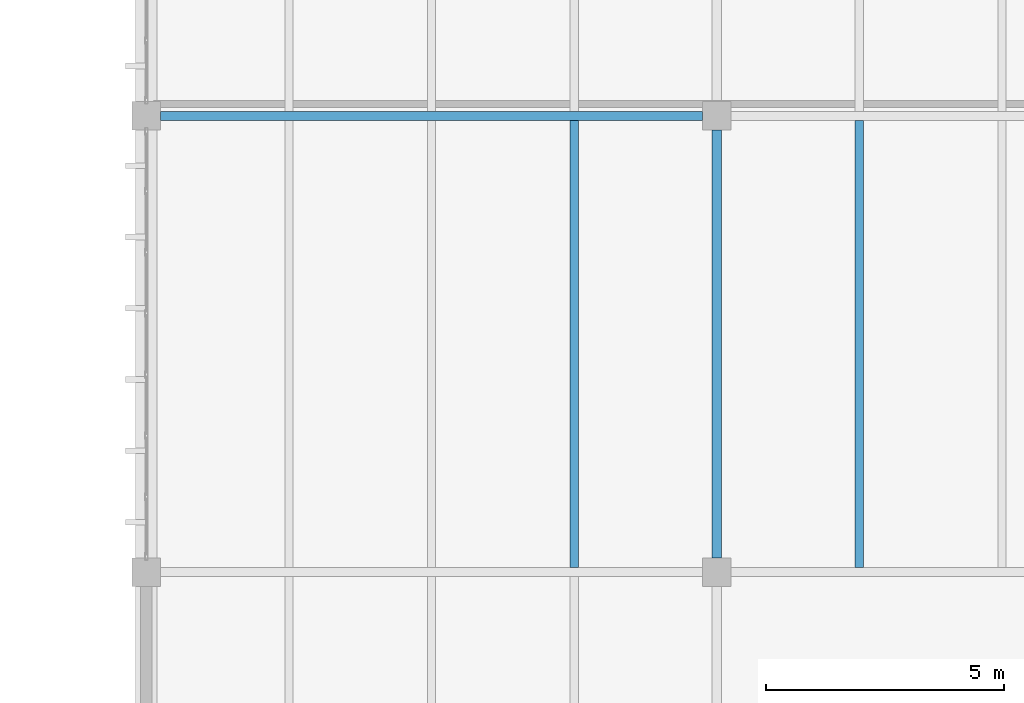
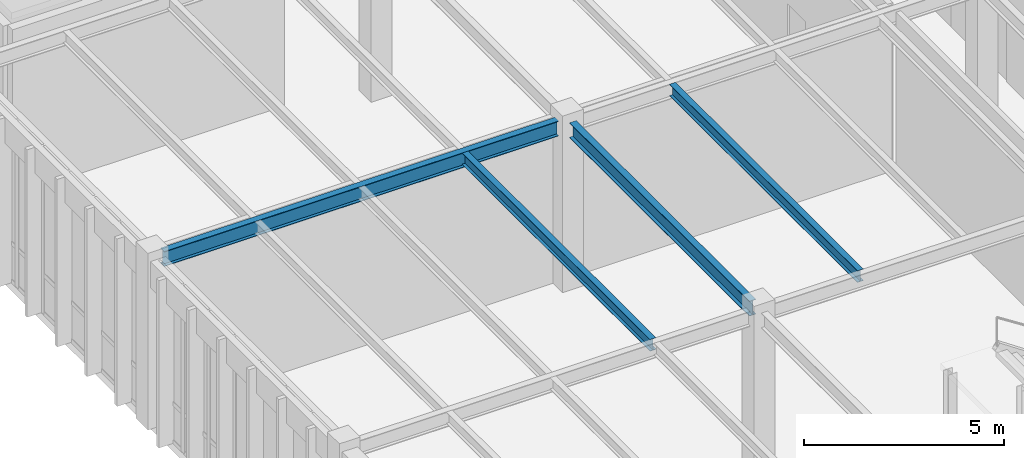
# One storey, part 99 of 188: 4 beams.
"""IFC4 building model written with IfcOpenShell, lengths in metres."""

from ifc_helpers import new_model, si_unit, direction, frame, origin, origin_2d, place, context, subcontext, project, spatial, i_section, extrude, material, material_profile, profile_set, type_object, element, save


model = new_model("IFC4")

# Units and contexts
model_context = context("Model", 3, precision=1e-05, world=origin(), true_north=direction((0.0, 1.0)))
body_context = subcontext(model_context, "Body", "Model", "MODEL_VIEW")
ifc_project = project(units=[si_unit("LENGTHUNIT", "METRE"), si_unit("AREAUNIT", "SQUARE_METRE"), si_unit("VOLUMEUNIT", "CUBIC_METRE"), si_unit("PLANEANGLEUNIT", "RADIAN"), si_unit("MASSUNIT", "GRAM", prefix="KILO")], contexts=[model_context])

# Site, building, storey
site_placement = place(None, origin())
site = spatial("IfcSite", under=ifc_project, at=site_placement, CompositionType="ELEMENT")
building_placement = place(site_placement, origin())
building = spatial("IfcBuilding", under=site, at=building_placement, Name="Pandanus Reach Market Hall", CompositionType="ELEMENT")
storey_placement = place(building_placement, origin())
storey = spatial("IfcBuildingStorey", under=building, at=storey_placement, Name="L00", CompositionType="ELEMENT", Elevation=0.0)

# Beams
ifc_material = material(Name="Steel Grade 350 (350 MPa)", Category="steel")
ifc_material_profile_1 = material_profile(ifc_material, i_section(OverallWidth=0.19091796875, OverallDepth=0.4599609375, WebThickness=0.010009765625, FlangeThickness=0.01611328125, at=origin_2d()), Name="460UB82.1", Category="LoadBearing")
ifc_profile_set_1 = profile_set([ifc_material_profile_1], Name="Steel Grade 350 (350 MPa)")
beam_type_1 = type_object("IfcBeamType", Name="BM-UB460H-I", PredefinedType="BEAM", material=ifc_profile_set_1)
beam_1_placement = place(storey_placement, frame((144.298095703125, 38.39990234375, 4.89453125), z_axis=(1.0, 0.0, 0.0), x_axis=(0.0, 1.0, 0.0)))
element("IfcBeam", 1, at=beam_1_placement, inside=storey, type_object=beam_type_1, Name="Framing beam BM-UB460H-I L00.167", PredefinedType="BEAM", context=body_context, shape_type="SweptSolid", body=[
    extrude(i_section(OverallWidth=0.19091796875, OverallDepth=0.4599609375, WebThickness=0.010009765625, FlangeThickness=0.01611328125, at=origin_2d()), origin(), (0.0, 0.0, 1.0), 11.40380859375),
])
beam_2_placement = place(storey_placement, frame((156.0, 29.097900390625, 4.89453125), z_axis=(0.0, 1.0, 0.0), x_axis=(-1.0, 0.0, 0.0)))
element("IfcBeam", 2, at=beam_2_placement, inside=storey, type_object=beam_type_1, Name="Framing beam BM-UB460H-I L00.201", PredefinedType="BEAM", context=body_context, shape_type="SweptSolid", body=[
    extrude(i_section(OverallWidth=0.19091796875, OverallDepth=0.4599609375, WebThickness=0.010009765625, FlangeThickness=0.01611328125, at=origin_2d()), origin(), (0.0, 0.0, 1.0), 9.004150390625),
])
ifc_material_profile_2 = material_profile(ifc_material, i_section(OverallWidth=0.172119140625, OverallDepth=0.35888671875, WebThickness=0.008056640625, FlangeThickness=0.012939453125, at=origin_2d()), Name="360UB56.7", Category="LoadBearing")
ifc_profile_set_2 = profile_set([ifc_material_profile_2], Name="Steel Grade 350 (350 MPa)")
beam_type_2 = type_object("IfcBeamType", Name="JS-UB360H-I", PredefinedType="JOIST", material=ifc_profile_set_2)
for number, where, z_axis, x_axis, name in (
    (3, (153.0, 28.8935546875, 4.945068359375), (0.0, 1.0, 0.0), (-1.0, 0.0, 0.0), "Secondary joist JS-UB360H-I L00.239"),
    (4, (159.0, 28.8935546875, 4.945068359375), (0.0, 1.0, 0.0), (-1.0, 0.0, 0.0), "Secondary joist JS-UB360H-I L00.261"),
):
    element("IfcBeam", number, at=place(storey_placement, frame(where, z_axis=z_axis, x_axis=x_axis)), inside=storey, type_object=beam_type_2, Name=name, PredefinedType="JOIST", context=body_context, shape_type="SweptSolid", body=[
        extrude(i_section(OverallWidth=0.172119140625, OverallDepth=0.35888671875, WebThickness=0.008056640625, FlangeThickness=0.012939453125, at=origin_2d()), origin(), (0.0, 0.0, 1.0), 9.412841796875),
    ])

save(model, "model.ifc")
